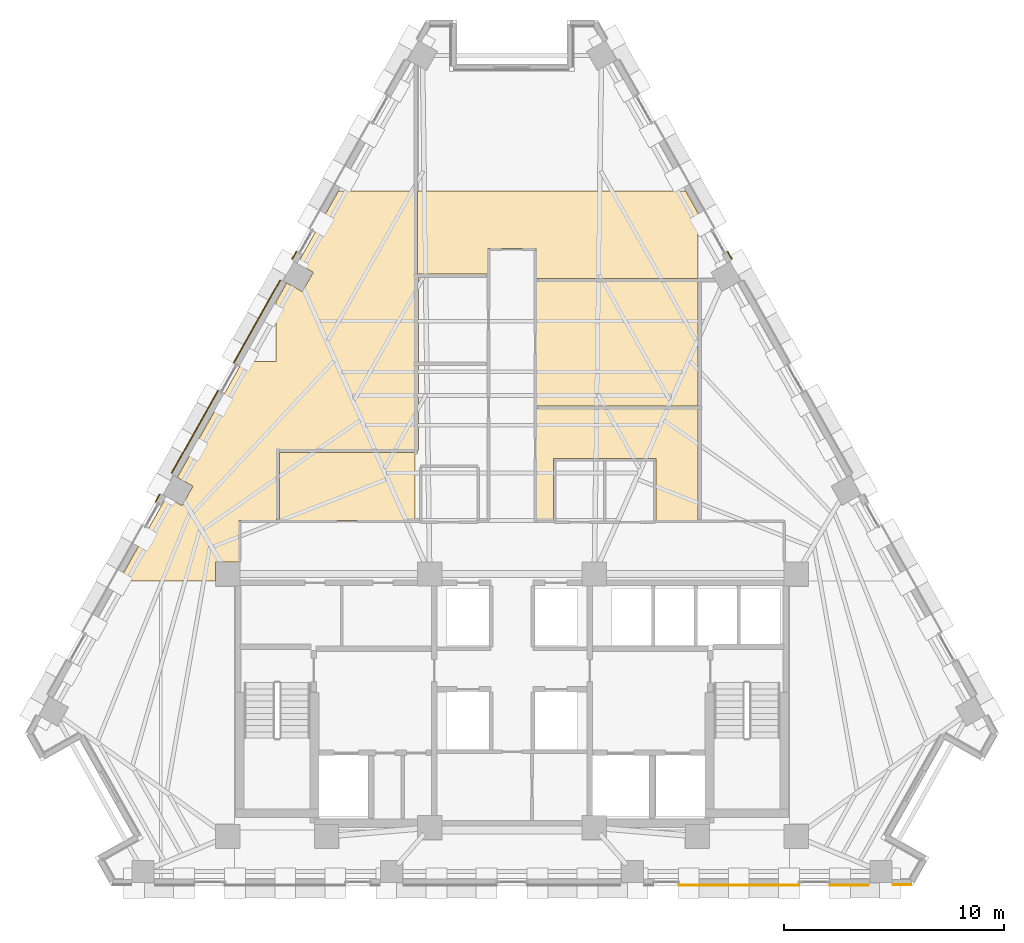
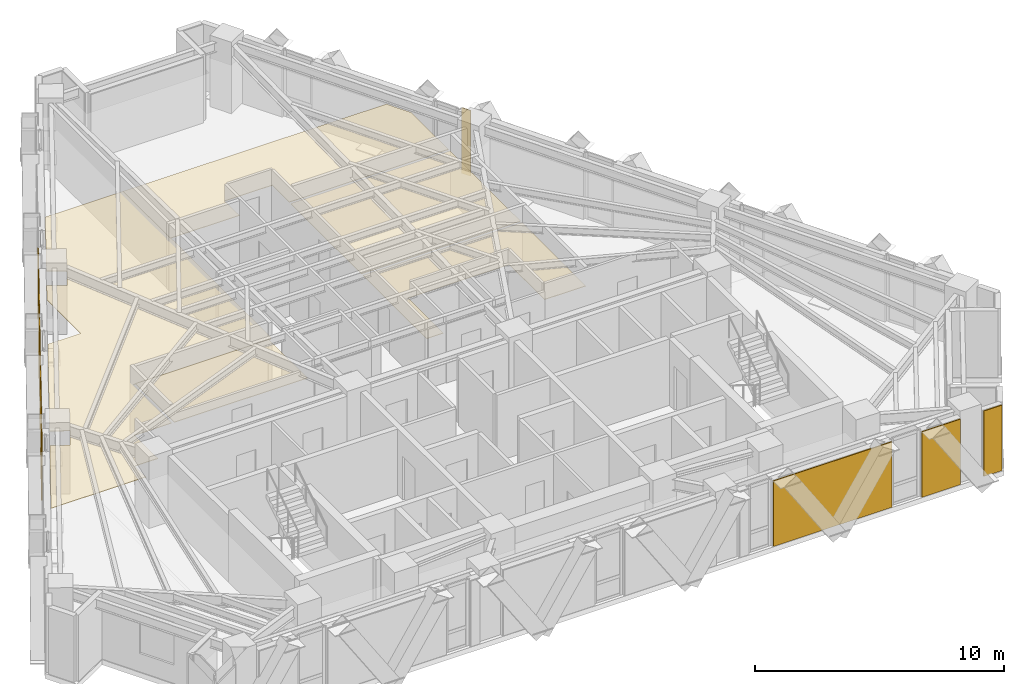
# One storey, part 11 of 13: 13 coverings.
"""IFC4 building model written with IfcOpenShell, lengths in metres."""

from ifc_helpers import new_model, si_unit, direction, frame, origin, place, context, subcontext, project, spatial, polyline, outline, extrude, material, layer, layer_set, type_object, element, save


model = new_model("IFC4")

# Units and contexts
model_context = context("Model", 3, precision=1e-05, world=origin(), true_north=direction((0.0, 1.0)))
body_context = subcontext(model_context, "Body", "Model", "MODEL_VIEW")
ifc_project = project(units=[si_unit("LENGTHUNIT", "METRE"), si_unit("AREAUNIT", "SQUARE_METRE"), si_unit("VOLUMEUNIT", "CUBIC_METRE"), si_unit("PLANEANGLEUNIT", "RADIAN"), si_unit("MASSUNIT", "GRAM", prefix="KILO")], contexts=[model_context])

# Site, building, storey
site_placement = place(None, origin())
site = spatial("IfcSite", under=ifc_project, at=site_placement, CompositionType="ELEMENT")
building_placement = place(site_placement, origin())
building = spatial("IfcBuilding", under=site, at=building_placement, Name="Quenlor Broadcast Tower", CompositionType="ELEMENT")
storey_placement = place(building_placement, frame((0.0, 0.0, 151.0)))
storey = spatial("IfcBuildingStorey", under=building, at=storey_placement, Name="L41", CompositionType="ELEMENT", Elevation=151.0)

# Coverings
ifc_material_1 = material(Name="Acoustic Mineral Fibre Board", Category="other")
ifc_layer_1 = layer(ifc_material_1, 0.02490234375)
ifc_layer_set_1 = layer_set([ifc_layer_1], Name="Acoustic Perforated Mineral Tile Ceiling 25")
covering_type_1 = type_object("IfcCoveringType", Name="Acoustic Perforated Mineral Tile Ceiling 25", PredefinedType="CEILING", material=ifc_layer_set_1)
covering_1_placement = place(storey_placement, frame((0.0, 0.0, 2.375)))
element("IfcCovering", 1, at=covering_1_placement, inside=storey, type_object=covering_type_1, Name="L41 Acoustic Ceiling L41-29", PredefinedType="CEILING", context=body_context, shape_type="SweptSolid", body=[
    extrude(outline(polyline([(8.47998046875, 11.630859375), (8.47998046875, 8.659912109375), (1.10009765625, 8.659912109375), (1.10009765625, 10.030029296875), (-1.10009765625, 10.030029296875), (-1.10009765625, 8.860107421875), (-4.300048828125, 8.860107421875), (-4.300048828125, 12.64990234375), (7.90673828125, 12.64990234375), (8.47998046875, 11.630859375)])), origin(), (0.0, 0.0, 1.0), 0.02490234375),
])
covering_2_placement = place(storey_placement, frame((0.0, 0.0, 2.375)))
element("IfcCovering", 2, at=covering_2_placement, inside=storey, type_object=covering_type_1, Name="L41 Acoustic Ceiling L41-31", PredefinedType="CEILING", context=body_context, shape_type="SweptSolid", body=[
    extrude(outline(polyline([(1.10009765625, 2.860107421875), (1.10009765625, 8.5400390625), (8.47998046875, 8.5400390625), (8.47998046875, 2.860107421875), (1.10009765625, 2.860107421875)])), origin(), (0.0, 0.0, 1.0), 0.02490234375),
])
covering_3_placement = place(storey_placement, frame((0.0, 0.0, 2.375)))
element("IfcCovering", 3, at=covering_3_placement, inside=storey, type_object=covering_type_1, Name="L41 Acoustic Ceiling L41-33", PredefinedType="CEILING", context=body_context, shape_type="SweptSolid", body=[
    extrude(outline(polyline([(1.8798828125, -2.3701171875), (1.10009765625, -2.3701171875), (1.10009765625, 2.739990234375), (8.47998046875, 2.739990234375), (8.47998046875, -2.3701171875), (6.570068359375, -2.3701171875), (6.570068359375, 0.469970703125), (1.8798828125, 0.469970703125), (1.8798828125, -2.3701171875)])), origin(), (0.0, 0.0, 1.0), 0.02490234375),
])
covering_4_placement = place(storey_placement, frame((0.0, 0.0, 2.375)))
element("IfcCovering", 4, at=covering_4_placement, inside=storey, type_object=covering_type_1, Name="L41 Acoustic Ceiling L41-34", PredefinedType="CEILING", context=body_context, shape_type="SweptSolid", body=[
    extrude(outline(polyline([(-4.419921875, -2.3701171875), (-10.60009765625, -2.3701171875), (-10.60009765625, 0.739990234375), (-4.419921875, 0.739990234375), (-4.419921875, -2.3701171875)])), origin(), (0.0, 0.0, 1.0), 0.02490234375),
])
covering_5_placement = place(storey_placement, frame((0.0, 0.0, 2.375)))
element("IfcCovering", 5, at=covering_5_placement, inside=storey, type_object=covering_type_1, Name="L41 Acoustic Ceiling L41-35", PredefinedType="CEILING", context=body_context, shape_type="SweptSolid", body=[
    extrude(outline(polyline([(-4.281494140625, 8.802490234375), (-4.276611328125, 8.783447265625), (-4.270751953125, 8.754638671875), (-4.27001953125, 4.860107421875), (-4.27294921875, 4.830810546875), (-4.281494140625, 4.802490234375), (-4.276611328125, 4.783447265625), (-4.270751953125, 4.754638671875), (-4.27001953125, 0.860107421875), (-4.27294921875, 0.830810546875), (-4.281494140625, 0.802490234375), (-4.29541015625, 0.776611328125), (-4.31396484375, 0.75390625), (-4.336669921875, 0.7353515625), (-4.362548828125, 0.721435546875), (-4.390625, 0.712890625), (-4.419921875, 0.7099609375), (-10.60009765625, 0.7099609375), (-10.62939453125, 0.712890625), (-10.657470703125, 0.721435546875), (-10.676513671875, 0.716552734375), (-10.705322265625, 0.710693359375), (-10.719970703125, -2.3701171875), (-12.43994140625, -2.3701171875), (-12.43994140625, -4.241943359375), (-13.508056640625, -4.241943359375), (-13.508056640625, -5.1201171875), (-15.93994140625, -5.1201171875), (-16.06005859375, -5.1201171875), (-17.90234375, -5.1201171875), (-15.7431640625, -1.281494140625), (-15.0302734375, -1.6826171875), (-14.5322265625, -0.797119140625), (-15.2451171875, -0.39599609375), (-12.271728515625, 4.889892578125), (-10.75, 4.889892578125), (-10.75, 7.595458984375), (-10.26220703125, 8.46240234375), (-9.54931640625, 8.0615234375), (-9.05126953125, 8.947021484375), (-9.76416015625, 9.347900390625), (-7.90673828125, 12.64990234375), (-4.27001953125, 12.64990234375), (-4.27001953125, 8.860107421875), (-4.27294921875, 8.830810546875), (-4.281494140625, 8.802490234375)])), origin(), (0.0, 0.0, 1.0), 0.02490234375),
])
ifc_material_2 = material(Name="Architectural Terracotta Ceramic", Category="masonry")
ifc_layer_2 = layer(ifc_material_2, 0.044921875)
ifc_layer_set_2 = layer_set([ifc_layer_2], Name="Fluted Terracotta Rainscreen Cladding Panel")
covering_type_2 = type_object("IfcCoveringType", Name="Fluted Terracotta Rainscreen Cladding Panel", PredefinedType="CLADDING", material=ifc_layer_set_2)
covering_6_placement = place(storey_placement, frame((0.0, 0.0, 0.02001953125)))
element("IfcCovering", 6, at=covering_6_placement, inside=storey, type_object=covering_type_2, Name="L41 Terracotta Rainscreen Cladding L41-SHD-SS0", PredefinedType="CLADDING", context=body_context, shape_type="SweptSolid", body=[
    extrude(outline(polyline([(18.179931640625, -18.93701171875), (17.343505859375, -18.93701171875), (17.343505859375, -18.98193359375), (18.179931640625, -18.98193359375), (18.179931640625, -18.93701171875)])), origin(), (0.0, 0.0, 1.0), 3.2099609375),
])
covering_7_placement = place(storey_placement, frame((0.0, 0.0, 0.02001953125)))
element("IfcCovering", 7, at=covering_7_placement, inside=storey, type_object=covering_type_2, Name="L41 Terracotta Rainscreen Cladding L41-SA-SP1", PredefinedType="CLADDING", context=body_context, shape_type="SweptSolid", body=[
    extrude(outline(polyline([(16.25341796875, -18.95703125), (14.47509765625, -18.95703125), (14.47509765625, -19.001953125), (16.25341796875, -19.001953125), (16.25341796875, -18.95703125)])), origin(), (0.0, 0.0, 1.0), 3.2099609375),
])
covering_8_placement = place(storey_placement, frame((0.0, 0.0, 0.02001953125)))
element("IfcCovering", 8, at=covering_8_placement, inside=storey, type_object=covering_type_2, Name="L41 Terracotta Rainscreen Cladding L41-SA-SP2", PredefinedType="CLADDING", context=body_context, shape_type="SweptSolid", body=[
    extrude(outline(polyline([(13.076904296875, -18.95703125), (7.5869140625, -18.95703125), (7.5869140625, -19.001953125), (13.076904296875, -19.001953125), (13.076904296875, -18.95703125)])), origin(), (0.0, 0.0, 1.0), 3.2099609375),
])
covering_9_placement = place(storey_placement, frame((0.0, 0.0, 0.02001953125)))
element("IfcCovering", 9, at=covering_9_placement, inside=storey, type_object=covering_type_2, Name="L41 Terracotta Rainscreen Cladding L41-NEA-SP3", PredefinedType="CLADDING", context=body_context, shape_type="SweptSolid", body=[
    extrude(outline(polyline([(9.803955078125, 9.88330078125), (10.0, 9.53466796875), (10.039306640625, 9.556640625), (9.843017578125, 9.9052734375), (9.803955078125, 9.88330078125)])), origin(), (0.0, 0.0, 1.0), 3.2099609375),
])
covering_10_placement = place(storey_placement, frame((0.0, 0.0, 0.02001953125)))
element("IfcCovering", 10, at=covering_10_placement, inside=storey, type_object=covering_type_2, Name="L41 Terracotta Rainscreen Cladding L41-NWA-SP3", PredefinedType="CLADDING", context=body_context, shape_type="SweptSolid", body=[
    extrude(outline(polyline([(-16.22119140625, -1.525390625), (-16.025146484375, -1.1767578125), (-16.064453125, -1.15478515625), (-16.260498046875, -1.50341796875), (-16.22119140625, -1.525390625)])), origin(), (0.0, 0.0, 1.0), 3.2099609375),
])
covering_11_placement = place(storey_placement, frame((0.0, 0.0, 0.02001953125)))
element("IfcCovering", 11, at=covering_11_placement, inside=storey, type_object=covering_type_2, Name="L41 Terracotta Rainscreen Cladding L41-NWC-SP1", PredefinedType="CLADDING", context=body_context, shape_type="SweptSolid", body=[
    extrude(outline(polyline([(-10.0, 9.53466796875), (-9.803955078125, 9.88330078125), (-9.843017578125, 9.9052734375), (-10.039306640625, 9.556640625), (-10.0, 9.53466796875)])), origin(), (0.0, 0.0, 1.0), 3.2099609375),
])
covering_12_placement = place(storey_placement, frame((0.0, 0.0, 0.02001953125)))
element("IfcCovering", 12, at=covering_12_placement, inside=storey, type_object=covering_type_2, Name="L41 Terracotta Rainscreen Cladding L41-NW-SP1", PredefinedType="CLADDING", context=body_context, shape_type="SweptSolid", body=[
    extrude(outline(polyline([(-15.4833984375, -0.213623046875), (-13.367919921875, 3.547119140625), (-13.4072265625, 3.569091796875), (-15.522705078125, -0.191650390625), (-15.4833984375, -0.213623046875)])), origin(), (0.0, 0.0, 1.0), 3.2099609375),
])
covering_13_placement = place(storey_placement, frame((0.0, 0.0, 0.02001953125)))
element("IfcCovering", 13, at=covering_13_placement, inside=storey, type_object=covering_type_2, Name="L41 Terracotta Rainscreen Cladding L41-NW-SP2", PredefinedType="CLADDING", context=body_context, shape_type="SweptSolid", body=[
    extrude(outline(polyline([(-12.656982421875, 4.810791015625), (-10.541748046875, 8.571533203125), (-10.580810546875, 8.593505859375), (-12.6962890625, 4.832763671875), (-12.656982421875, 4.810791015625)])), origin(), (0.0, 0.0, 1.0), 3.2099609375),
])

save(model, "model.ifc")
